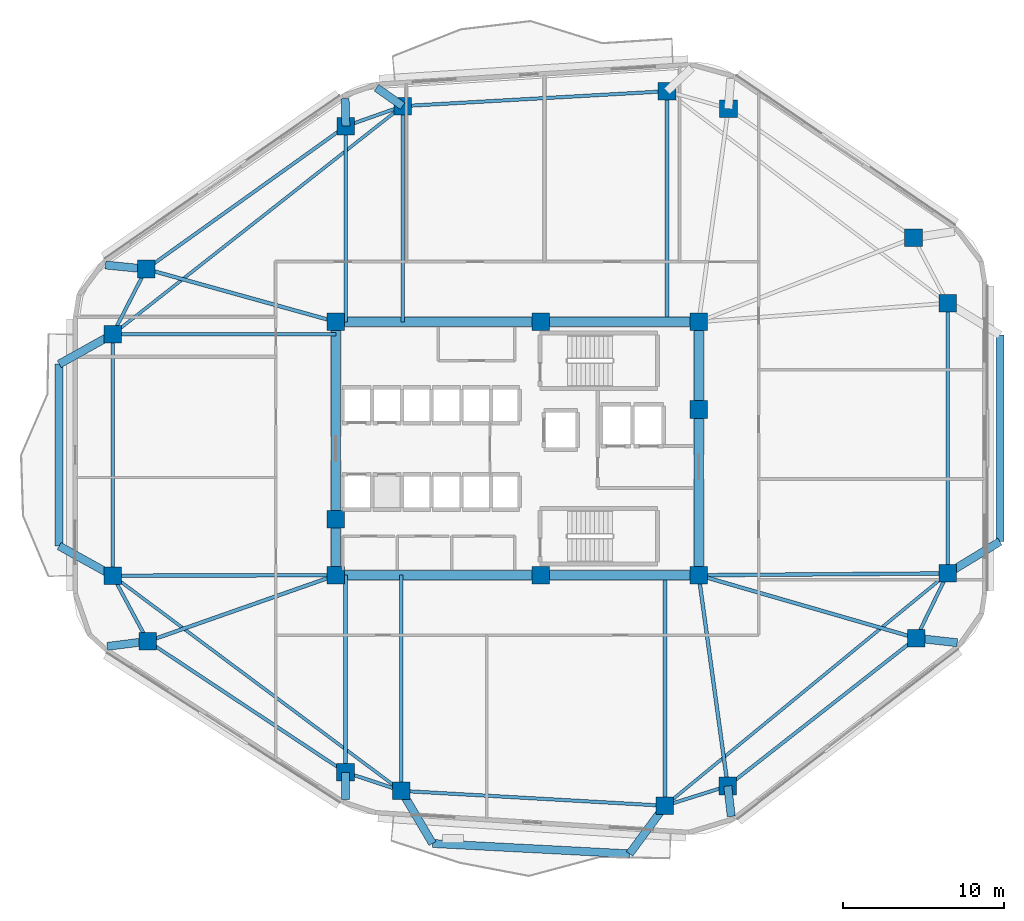
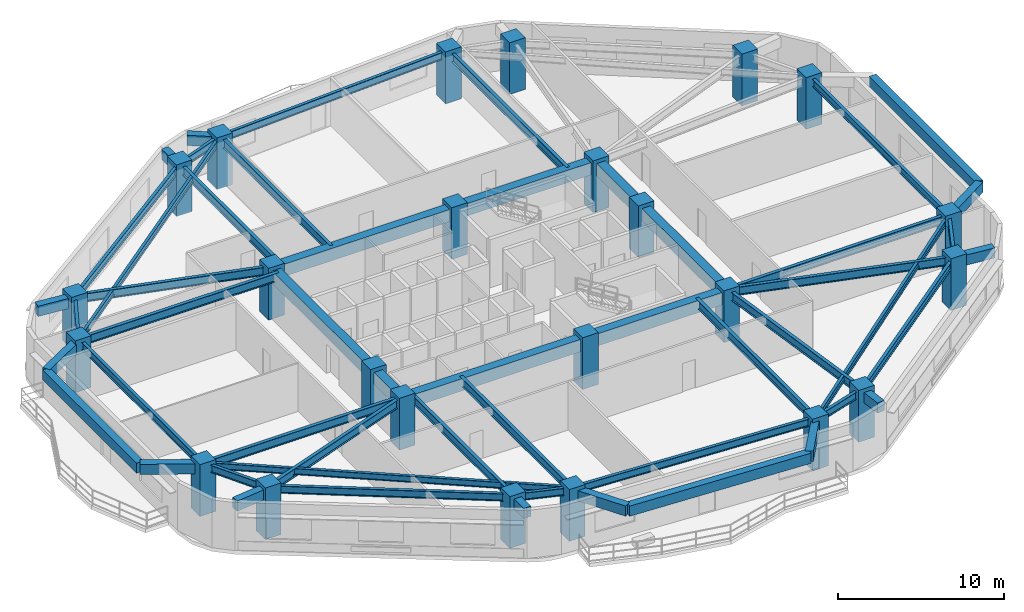
# One storey, part 1 of 10: 52 beams, 24 columns.
"""IFC4 building model written with IfcOpenShell, lengths in metres."""

from ifc_helpers import new_model, si_unit, direction, frame, origin, origin_2d, place, context, subcontext, project, spatial, rectangle, i_section, extrude, material, material_profile, profile_set, type_object, element, save


model = new_model("IFC4")

# Units and contexts
model_context = context("Model", 3, precision=1e-05, world=origin(), true_north=direction((0.0, 1.0)))
body_context = subcontext(model_context, "Body", "Model", "MODEL_VIEW")
ifc_project = project(units=[si_unit("LENGTHUNIT", "METRE"), si_unit("AREAUNIT", "SQUARE_METRE"), si_unit("VOLUMEUNIT", "CUBIC_METRE"), si_unit("PLANEANGLEUNIT", "RADIAN"), si_unit("MASSUNIT", "GRAM", prefix="KILO")], contexts=[model_context])

# Site, building, storey
site_placement = place(None, origin())
site = spatial("IfcSite", under=ifc_project, at=site_placement, CompositionType="ELEMENT")
building_placement = place(site_placement, origin())
building = spatial("IfcBuilding", under=site, at=building_placement, Name="Zulverin Broadcast Headquarters", CompositionType="ELEMENT")
storey_placement = place(building_placement, frame((0.0, 0.0, 97.199951171875)))
storey = spatial("IfcBuildingStorey", under=building, at=storey_placement, Name="L24", CompositionType="ELEMENT", Elevation=97.199951171875)

# Columns
ifc_material_1 = material(Name="Concrete C60/75", Category="concrete")
ifc_material_profile_1 = material_profile(ifc_material_1, rectangle(XDim=1.10009765625, YDim=1.10009765625, at=origin_2d()), Name="Concrete C60/75", Category="concrete")
ifc_profile_set_1 = profile_set([ifc_material_profile_1], Name="Concrete C60/75")
column_type_1 = type_object("IfcColumnType", Name="COL-RC-1100", PredefinedType="COLUMN", material=ifc_profile_set_1)
for number, where, z_axis, x_axis, name in (
    (1, (29.79638671875, 3.922119140625, 0.0), (0.0, 0.0, 1.0), (1.0, 0.0, 0.0), "L24 Perimeter Column T01"),
    (2, (46.175048828125, 2.997802734375, 0.0), (0.0, 0.0, 1.0), (1.0, 0.0, 0.0), "L24 Perimeter Column T02"),
    (3, (50.08056640625, 4.22509765625, 0.0), (0.0, 0.0, 1.0), (1.0, 0.0, 0.0), "L24 Perimeter Column T03"),
    (4, (61.79296875, 13.416259765625, 0.0), (0.0, 0.0, 1.0), (1.0, 0.0, 0.0), "L24 Perimeter Column T04"),
    (5, (63.75, 17.439697265625, 0.0), (0.0, 0.0, 1.0), (1.0, 0.0, 0.0), "L24 Perimeter Column T05"),
    (6, (63.75, 34.235107421875, 0.0), (0.0, 0.0, 1.0), (1.0, 0.0, 0.0), "L24 Perimeter Column T06"),
    (7, (61.630126953125, 38.298583984375, 0.0), (0.0, 0.0, 1.0), (1.0, 0.0, 0.0), "L24 Perimeter Column T07"),
    (8, (50.121826171875, 46.325927734375, 0.0), (0.0, 0.0, 1.0), (1.0, 0.0, 0.0), "L24 Perimeter Column T08"),
    (9, (46.30224609375, 47.4091796875, 0.0), (0.0, 0.0, 1.0), (1.0, 0.0, 0.0), "L24 Perimeter Column T09"),
    (10, (29.873779296875, 46.482177734375, 0.0), (0.0, 0.0, 1.0), (1.0, 0.0, 0.0), "L24 Perimeter Column T10"),
    (11, (26.344482421875, 45.23828125, 0.0), (0.0, 0.0, 1.0), (1.0, 0.0, 0.0), "L24 Perimeter Column T11"),
    (12, (13.934326171875, 36.353759765625, 0.0), (0.0, 0.0, 1.0), (1.0, 0.0, 0.0), "L24 Perimeter Column T12"),
    (13, (11.85009765625, 32.298095703125, 0.0), (0.0, 0.0, 1.0), (1.0, 0.0, 0.0), "L24 Perimeter Column T13"),
    (14, (11.85009765625, 17.297607421875, 0.0), (0.0, 0.0, 1.0), (1.0, 0.0, 0.0), "L24 Perimeter Column T14"),
    (15, (14.0390625, 13.219970703125, 0.0), (0.0, 0.0, 1.0), (1.0, 0.0, 0.0), "L24 Perimeter Column T15"),
    (16, (26.3251953125, 5.075927734375, 0.0), (0.0, 0.0, 1.0), (1.0, 0.0, 0.0), "L24 Perimeter Column T16"),
):
    element("IfcColumn", number, at=place(storey_placement, frame(where, z_axis=z_axis, x_axis=x_axis)), inside=storey, type_object=column_type_1, Name=name, PredefinedType="COLUMN", context=body_context, shape_type="SweptSolid", body=[
        extrude(rectangle(XDim=1.10009765625, YDim=1.10009765625, at=origin_2d()), origin(), (0.0, 0.0, 1.0), 3.800048828125),
    ])
ifc_material_profile_2 = material_profile(ifc_material_1, rectangle(XDim=1.10009765625, YDim=1.10009765625, at=origin_2d()), Name="Concrete C60/75", Category="concrete")
ifc_profile_set_2 = profile_set([ifc_material_profile_2], Name="Concrete C60/75")
column_type_2 = type_object("IfcColumnType", Name="PIL-RC-1100", PredefinedType="PILASTER", material=ifc_profile_set_2)
for number, where, z_axis, x_axis, name in (
    (17, (25.72509765625, 17.324951171875, 0.0), (0.0, 0.0, 1.0), (1.0, 0.0, 0.0), "L24 Core Pilaster K01"),
    (18, (38.449951171875, 17.324951171875, 0.0), (0.0, 0.0, 1.0), (1.0, 0.0, 0.0), "L24 Core Pilaster K02"),
    (19, (48.27490234375, 17.324951171875, 0.0), (0.0, 0.0, 1.0), (1.0, 0.0, 0.0), "L24 Core Pilaster K03"),
    (20, (48.27490234375, 27.6201171875, 0.0), (0.0, 0.0, 1.0), (1.0, 0.0, 0.0), "L24 Core Pilaster K04"),
    (21, (48.27490234375, 33.074951171875, 0.0), (0.0, 0.0, 1.0), (1.0, 0.0, 0.0), "L24 Core Pilaster K05"),
    (22, (38.449951171875, 33.074951171875, 0.0), (0.0, 0.0, 1.0), (1.0, 0.0, 0.0), "L24 Core Pilaster K06"),
    (23, (25.72509765625, 33.074951171875, 0.0), (0.0, 0.0, 1.0), (1.0, 0.0, 0.0), "L24 Core Pilaster K07"),
    (24, (25.72509765625, 20.800048828125, 0.0), (0.0, 0.0, 1.0), (1.0, 0.0, 0.0), "L24 Core Pilaster K08"),
):
    element("IfcColumn", number, at=place(storey_placement, frame(where, z_axis=z_axis, x_axis=x_axis)), inside=storey, type_object=column_type_2, Name=name, PredefinedType="PILASTER", context=body_context, shape_type="SweptSolid", body=[
        extrude(rectangle(XDim=1.10009765625, YDim=1.10009765625, at=origin_2d()), origin(), (0.0, 0.0, 1.0), 3.800048828125),
    ])

# Beams
ifc_material_profile_3 = material_profile(ifc_material_1, rectangle(XDim=0.60009765625, YDim=0.89990234375, at=origin_2d()), Name="Concrete C60/75", Category="concrete")
ifc_profile_set_3 = profile_set([ifc_material_profile_3], Name="Concrete C60/75")
beam_type_1 = type_object("IfcBeamType", Name="BM-CB-600x900", PredefinedType="LINTEL", material=ifc_profile_set_3)
beam_1_placement = place(storey_placement, frame((25.72509765625, 17.324951171875, 3.074951171875), z_axis=(1.0, 0.0, 0.0), x_axis=(0.0, 1.0, 0.0)))
element("IfcBeam", 25, at=beam_1_placement, inside=storey, type_object=beam_type_1, Name="L24 Core Coupling Girder K01-K02", PredefinedType="LINTEL", context=body_context, shape_type="SweptSolid", body=[
    extrude(rectangle(XDim=0.60009765625, YDim=0.89990234375, at=origin_2d()), origin(), (0.0, 0.0, 1.0), 12.724853515625),
])
beam_2_placement = place(storey_placement, frame((38.449951171875, 17.324951171875, 3.074951171875), z_axis=(1.0, 0.0, 0.0), x_axis=(0.0, 1.0, 0.0)))
element("IfcBeam", 26, at=beam_2_placement, inside=storey, type_object=beam_type_1, Name="L24 Core Coupling Girder K02-K03", PredefinedType="LINTEL", context=body_context, shape_type="SweptSolid", body=[
    extrude(rectangle(XDim=0.60009765625, YDim=0.89990234375, at=origin_2d()), origin(), (0.0, 0.0, 1.0), 9.824951171875),
])
beam_3_placement = place(storey_placement, frame((48.27490234375, 17.324951171875, 3.074951171875), z_axis=(0.0, 1.0, 0.0), x_axis=(-1.0, 0.0, 0.0)))
element("IfcBeam", 27, at=beam_3_placement, inside=storey, type_object=beam_type_1, Name="L24 Core Coupling Girder K03-K04", PredefinedType="LINTEL", context=body_context, shape_type="SweptSolid", body=[
    extrude(rectangle(XDim=0.60009765625, YDim=0.89990234375, at=origin_2d()), origin(), (0.0, 0.0, 1.0), 10.295166015625),
])
beam_4_placement = place(storey_placement, frame((48.27490234375, 27.6201171875, 3.074951171875), z_axis=(0.0, 1.0, 0.0), x_axis=(-1.0, 0.0, 0.0)))
element("IfcBeam", 28, at=beam_4_placement, inside=storey, type_object=beam_type_1, Name="L24 Core Coupling Girder K04-K05", PredefinedType="LINTEL", context=body_context, shape_type="SweptSolid", body=[
    extrude(rectangle(XDim=0.60009765625, YDim=0.89990234375, at=origin_2d()), origin(), (0.0, 0.0, 1.0), 5.454833984375),
])
beam_5_placement = place(storey_placement, frame((48.27490234375, 33.074951171875, 3.074951171875), z_axis=(-1.0, 0.0, 0.0), x_axis=(0.0, -1.0, 0.0)))
element("IfcBeam", 29, at=beam_5_placement, inside=storey, type_object=beam_type_1, Name="L24 Core Coupling Girder K05-K06", PredefinedType="LINTEL", context=body_context, shape_type="SweptSolid", body=[
    extrude(rectangle(XDim=0.60009765625, YDim=0.89990234375, at=origin_2d()), origin(), (0.0, 0.0, 1.0), 9.824951171875),
])
beam_6_placement = place(storey_placement, frame((38.449951171875, 33.074951171875, 3.074951171875), z_axis=(-1.0, 0.0, 0.0), x_axis=(0.0, -1.0, 0.0)))
element("IfcBeam", 30, at=beam_6_placement, inside=storey, type_object=beam_type_1, Name="L24 Core Coupling Girder K06-K07", PredefinedType="LINTEL", context=body_context, shape_type="SweptSolid", body=[
    extrude(rectangle(XDim=0.60009765625, YDim=0.89990234375, at=origin_2d()), origin(), (0.0, 0.0, 1.0), 12.724853515625),
])
beam_7_placement = place(storey_placement, frame((25.72509765625, 33.074951171875, 3.074951171875), z_axis=(0.0, -1.0, 0.0), x_axis=(1.0, 0.0, 0.0)))
element("IfcBeam", 31, at=beam_7_placement, inside=storey, type_object=beam_type_1, Name="L24 Core Coupling Girder K07-K08", PredefinedType="LINTEL", context=body_context, shape_type="SweptSolid", body=[
    extrude(rectangle(XDim=0.60009765625, YDim=0.89990234375, at=origin_2d()), origin(), (0.0, 0.0, 1.0), 12.27490234375),
])
beam_8_placement = place(storey_placement, frame((25.72509765625, 20.800048828125, 3.074951171875), z_axis=(0.0, -1.0, 0.0), x_axis=(1.0, 0.0, 0.0)))
element("IfcBeam", 32, at=beam_8_placement, inside=storey, type_object=beam_type_1, Name="L24 Core Coupling Girder K08-K01", PredefinedType="LINTEL", context=body_context, shape_type="SweptSolid", body=[
    extrude(rectangle(XDim=0.60009765625, YDim=0.89990234375, at=origin_2d()), origin(), (0.0, 0.0, 1.0), 3.47509765625),
])
ifc_material_2 = material(Name="Concrete C40/50", Category="concrete")
ifc_material_profile_4 = material_profile(ifc_material_2, rectangle(XDim=0.5, YDim=0.75, at=origin_2d()), Name="Concrete C40/50", Category="concrete")
ifc_profile_set_4 = profile_set([ifc_material_profile_4], Name="Concrete C40/50")
beam_type_2 = type_object("IfcBeamType", Name="BM-RC-500x750", PredefinedType="BEAM", material=ifc_profile_set_4)
beam_9_placement = place(storey_placement, frame((50.08056640625, 4.22509765625, 3.150146484375), z_axis=(0.115916621896, -0.99325894749, 0.0), x_axis=(0.99325894749, 0.115916621896, 0.0)))
element("IfcBeam", 33, at=beam_9_placement, inside=storey, type_object=beam_type_2, Name="L25 Plate Overhang Back-Spanned Beam OVR-03", PredefinedType="BEAM", context=body_context, shape_type="SweptSolid", body=[
    extrude(rectangle(XDim=0.5, YDim=0.75, at=origin_2d()), origin(), (0.0, 0.0, 1.0), 1.899658203125),
])
beam_10_placement = place(storey_placement, frame((61.79296875, 13.416259765625, 3.150146484375), z_axis=(0.993797661948, -0.111203449166, 0.0), x_axis=(0.111203449166, 0.993797661948, 0.0)))
element("IfcBeam", 34, at=beam_10_placement, inside=storey, type_object=beam_type_2, Name="L25 Plate Overhang Back-Spanned Beam OVR-04", PredefinedType="BEAM", context=body_context, shape_type="SweptSolid", body=[
    extrude(rectangle(XDim=0.5, YDim=0.75, at=origin_2d()), origin(), (0.0, 0.0, 1.0), 2.568603515625),
])
beam_11_placement = place(storey_placement, frame((29.873779296875, 46.482177734375, 3.150146484375), z_axis=(-0.817148773783, 0.576426822333, 0.0), x_axis=(-0.576426822333, -0.817148773783, 0.0)))
element("IfcBeam", 35, at=beam_11_placement, inside=storey, type_object=beam_type_2, Name="L25 Plate Overhang Back-Spanned Beam OVR-10", PredefinedType="BEAM", context=body_context, shape_type="SweptSolid", body=[
    extrude(rectangle(XDim=0.5, YDim=0.75, at=origin_2d()), origin(), (0.0, 0.0, 1.0), 1.981689453125),
])
beam_12_placement = place(storey_placement, frame((26.344482421875, 45.23828125, 3.150146484375), z_axis=(-0.025024345209, 0.999686842039, 0.0), x_axis=(-0.999686842039, -0.025024345209, 0.0)))
element("IfcBeam", 36, at=beam_12_placement, inside=storey, type_object=beam_type_2, Name="L25 Plate Overhang Back-Spanned Beam OVR-11", PredefinedType="BEAM", context=body_context, shape_type="SweptSolid", body=[
    extrude(rectangle(XDim=0.5, YDim=0.75, at=origin_2d()), origin(), (0.0, 0.0, 1.0), 1.707275390625),
])
beam_13_placement = place(storey_placement, frame((13.934326171875, 36.353759765625, 3.150146484375), z_axis=(-0.995008621602, 0.09978899207, 0.0), x_axis=(-0.09978899207, -0.995008621602, 0.0)))
element("IfcBeam", 37, at=beam_13_placement, inside=storey, type_object=beam_type_2, Name="L25 Plate Overhang Back-Spanned Beam OVR-12", PredefinedType="BEAM", context=body_context, shape_type="SweptSolid", body=[
    extrude(rectangle(XDim=0.5, YDim=0.75, at=origin_2d()), origin(), (0.0, 0.0, 1.0), 2.5419921875),
])
beam_14_placement = place(storey_placement, frame((14.0390625, 13.219970703125, 3.150146484375), z_axis=(-0.992258640565, -0.124188526941, 0.0), x_axis=(0.124188526941, -0.992258640565, 0.0)))
element("IfcBeam", 38, at=beam_14_placement, inside=storey, type_object=beam_type_2, Name="L25 Plate Overhang Back-Spanned Beam OVR-15", PredefinedType="BEAM", context=body_context, shape_type="SweptSolid", body=[
    extrude(rectangle(XDim=0.5, YDim=0.75, at=origin_2d()), origin(), (0.0, 0.0, 1.0), 2.5400390625),
])
beam_15_placement = place(storey_placement, frame((26.3251953125, 5.075927734375, 3.150146484375), z_axis=(0.006204786761, -0.999980750125, 0.0), x_axis=(0.999980750125, 0.006204786761, 0.0)))
element("IfcBeam", 39, at=beam_15_placement, inside=storey, type_object=beam_type_2, Name="L25 Plate Overhang Back-Spanned Beam OVR-16", PredefinedType="BEAM", context=body_context, shape_type="SweptSolid", body=[
    extrude(rectangle(XDim=0.5, YDim=0.75, at=origin_2d()), origin(), (0.0, 0.0, 1.0), 1.69189453125),
])
beam_16_placement = place(storey_placement, frame((63.75, 17.439697265625, 3.150146484375), z_axis=(0.853769010652, 0.520651972483, 0.0), x_axis=(-0.520651972483, 0.853769010652, 0.0)))
element("IfcBeam", 40, at=beam_16_placement, inside=storey, type_object=beam_type_2, Name="L25 Balcony Column-Framed Cantilever BAL_E-1", PredefinedType="BEAM", context=body_context, shape_type="SweptSolid", body=[
    extrude(rectangle(XDim=0.5, YDim=0.75, at=origin_2d()), origin(), (0.0, 0.0, 1.0), 3.800048828125),
])
beam_17_placement = place(storey_placement, frame((66.994384765625, 19.418212890625, 3.150146484375), z_axis=(0.000531985561, 0.999999858496, 0.0), x_axis=(-0.999999858496, 0.000531985561, 0.0)))
element("IfcBeam", 41, at=beam_17_placement, inside=storey, type_object=beam_type_2, Name="L25 Balcony Outer Edge Trimmer Beam BAL_E", PredefinedType="BEAM", context=body_context, shape_type="SweptSolid", body=[
    extrude(rectangle(XDim=0.5, YDim=0.75, at=origin_2d()), origin(), (0.0, 0.0, 1.0), 12.849853515625),
])
beam_18_placement = place(storey_placement, frame((29.79638671875, 3.922119140625, 3.150146484375), z_axis=(0.509317980618, -0.860578407014, 0.0), x_axis=(0.860578407014, 0.509317980618, 0.0)))
element("IfcBeam", 42, at=beam_18_placement, inside=storey, type_object=beam_type_2, Name="L25 Balcony Column-Framed Cantilever BAL_S-1", PredefinedType="BEAM", context=body_context, shape_type="SweptSolid", body=[
    extrude(rectangle(XDim=0.5, YDim=0.75, at=origin_2d()), origin(), (0.0, 0.0, 1.0), 3.7998046875),
])
beam_19_placement = place(storey_placement, frame((46.175048828125, 2.997802734375, 3.150146484375), z_axis=(-0.592473400613, -0.805590013323, 0.0), x_axis=(0.805590013323, -0.592473400613, 0.0)))
element("IfcBeam", 43, at=beam_19_placement, inside=storey, type_object=beam_type_2, Name="L25 Balcony Column-Framed Cantilever BAL_S-2", PredefinedType="BEAM", context=body_context, shape_type="SweptSolid", body=[
    extrude(rectangle(XDim=0.5, YDim=0.75, at=origin_2d()), origin(), (0.0, 0.0, 1.0), 3.708251953125),
])
beam_20_placement = place(storey_placement, frame((31.731689453125, 0.652099609375, 3.150146484375), z_axis=(0.998630394716, -0.052319544613, 0.0), x_axis=(0.052319544613, 0.998630394716, 0.0)))
element("IfcBeam", 44, at=beam_20_placement, inside=storey, type_object=beam_type_2, Name="L25 Balcony Outer Edge Trimmer Beam BAL_S", PredefinedType="BEAM", context=body_context, shape_type="SweptSolid", body=[
    extrude(rectangle(XDim=0.5, YDim=0.75, at=origin_2d()), origin(), (0.0, 0.0, 1.0), 12.26318359375),
])
beam_21_placement = place(storey_placement, frame((11.85009765625, 32.298095703125, 3.150146484375), z_axis=(-0.873763019306, -0.486351915893, 0.0), x_axis=(0.486351915893, -0.873763019306, 0.0)))
element("IfcBeam", 45, at=beam_21_placement, inside=storey, type_object=beam_type_2, Name="L25 Balcony Column-Framed Cantilever BAL_W-1", PredefinedType="BEAM", context=body_context, shape_type="SweptSolid", body=[
    extrude(rectangle(XDim=0.5, YDim=0.75, at=origin_2d()), origin(), (0.0, 0.0, 1.0), 3.800048828125),
])
beam_22_placement = place(storey_placement, frame((11.85009765625, 17.297607421875, 3.150146484375), z_axis=(-0.874363278793, 0.485271940975, 0.0), x_axis=(-0.485271940975, -0.874363278793, 0.0)))
element("IfcBeam", 46, at=beam_22_placement, inside=storey, type_object=beam_type_2, Name="L25 Balcony Column-Framed Cantilever BAL_W-2", PredefinedType="BEAM", context=body_context, shape_type="SweptSolid", body=[
    extrude(rectangle(XDim=0.5, YDim=0.75, at=origin_2d()), origin(), (0.0, 0.0, 1.0), 3.7998046875),
])
beam_23_placement = place(storey_placement, frame((8.52978515625, 30.449951171875, 3.150146484375), z_axis=(-0.000194304709, -0.999999981123, 0.0), x_axis=(0.999999981123, -0.000194304709, 0.0)))
element("IfcBeam", 47, at=beam_23_placement, inside=storey, type_object=beam_type_2, Name="L25 Balcony Outer Edge Trimmer Beam BAL_W", PredefinedType="BEAM", context=body_context, shape_type="SweptSolid", body=[
    extrude(rectangle(XDim=0.5, YDim=0.75, at=origin_2d()), origin(), (0.0, 0.0, 1.0), 11.308349609375),
])
ifc_material_3 = material(Name="Structural steel S355JR", Category="steel")
ifc_material_profile_5 = material_profile(ifc_material_3, i_section(OverallWidth=0.19287109375, OverallDepth=0.46728515625, WebThickness=0.011474609375, FlangeThickness=0.01953125, at=origin_2d()), Name="Structural steel S355JR", Category="steel")
ifc_profile_set_5 = profile_set([ifc_material_profile_5], Name="Structural steel S355JR")
beam_type_3 = type_object("IfcBeamType", Name="BM-UB-457", PredefinedType="JOIST", material=ifc_profile_set_5)
beam_24_placement = place(storey_placement, frame((46.175048828125, 2.997802734375, 3.29150390625), z_axis=(0.772611370623, 0.634879256224, 0.0), x_axis=(-0.634879256224, 0.772611370623, 0.0)))
element("IfcBeam", 48, at=beam_24_placement, inside=storey, type_object=beam_type_3, Name="L24 Chordal Floor Joist J-01", PredefinedType="JOIST", context=body_context, shape_type="SweptSolid", body=[
    extrude(i_section(OverallWidth=0.19287109375, OverallDepth=0.46728515625, WebThickness=0.011474609375, FlangeThickness=0.01953125, at=origin_2d()), origin(), (0.0, 0.0, 1.0), 22.74755859375),
])
beam_25_placement = place(storey_placement, frame((29.873779296875, 46.482177734375, 3.29150390625), z_axis=(-0.78583902739, -0.618431098047, 0.0), x_axis=(0.618431098047, -0.78583902739, 0.0)))
element("IfcBeam", 49, at=beam_25_placement, inside=storey, type_object=beam_type_3, Name="L24 Chordal Floor Joist J-03", PredefinedType="JOIST", context=body_context, shape_type="SweptSolid", body=[
    extrude(i_section(OverallWidth=0.19287109375, OverallDepth=0.46728515625, WebThickness=0.011474609375, FlangeThickness=0.01953125, at=origin_2d()), origin(), (0.0, 0.0, 1.0), 22.935546875),
])
beam_26_placement = place(storey_placement, frame((11.85009765625, 17.297607421875, 3.29150390625), z_axis=(0.801802688634, -0.59758886243, 0.0), x_axis=(0.59758886243, 0.801802688634, 0.0)))
element("IfcBeam", 50, at=beam_26_placement, inside=storey, type_object=beam_type_3, Name="L24 Chordal Floor Joist J-04", PredefinedType="JOIST", context=body_context, shape_type="SweptSolid", body=[
    extrude(i_section(OverallWidth=0.19287109375, OverallDepth=0.46728515625, WebThickness=0.011474609375, FlangeThickness=0.01953125, at=origin_2d()), origin(), (0.0, 0.0, 1.0), 22.38232421875),
])
ifc_material_profile_6 = material_profile(ifc_material_3, i_section(OverallWidth=0.2119140625, OverallDepth=0.54443359375, WebThickness=0.0126953125, FlangeThickness=0.021240234375, at=origin_2d()), Name="Structural steel S355JR", Category="steel")
ifc_profile_set_6 = profile_set([ifc_material_profile_6], Name="Structural steel S355JR")
beam_type_4 = type_object("IfcBeamType", Name="BM-UB-533", PredefinedType="SPANDREL", material=ifc_profile_set_6)
beam_27_placement = place(storey_placement, frame((29.79638671875, 3.922119140625, 3.252685546875), z_axis=(0.998411385104, -0.056344530297, 0.0), x_axis=(0.056344530297, 0.998411385104, 0.0)))
element("IfcBeam", 51, at=beam_27_placement, inside=storey, type_object=beam_type_4, Name="L24 Perimeter Spandrel Beam SP-01", PredefinedType="SPANDREL", context=body_context, shape_type="SweptSolid", body=[
    extrude(i_section(OverallWidth=0.2119140625, OverallDepth=0.54443359375, WebThickness=0.0126953125, FlangeThickness=0.021240234375, at=origin_2d()), origin(), (0.0, 0.0, 1.0), 16.40478515625),
])
beam_28_placement = place(storey_placement, frame((46.175048828125, 2.997802734375, 3.252685546875), z_axis=(0.954004438448, 0.299792480595, 0.0), x_axis=(-0.299792480595, 0.954004438448, 0.0)))
element("IfcBeam", 52, at=beam_28_placement, inside=storey, type_object=beam_type_4, Name="L24 Perimeter Spandrel Beam SP-02", PredefinedType="SPANDREL", context=body_context, shape_type="SweptSolid", body=[
    extrude(i_section(OverallWidth=0.2119140625, OverallDepth=0.54443359375, WebThickness=0.0126953125, FlangeThickness=0.021240234375, at=origin_2d()), origin(), (0.0, 0.0, 1.0), 4.09375),
])
beam_29_placement = place(storey_placement, frame((50.08056640625, 4.22509765625, 3.252685546875), z_axis=(0.786691476208, 0.617346354376, 0.0), x_axis=(-0.617346354376, 0.786691476208, 0.0)))
element("IfcBeam", 53, at=beam_29_placement, inside=storey, type_object=beam_type_4, Name="L24 Perimeter Spandrel Beam SP-03", PredefinedType="SPANDREL", context=body_context, shape_type="SweptSolid", body=[
    extrude(i_section(OverallWidth=0.2119140625, OverallDepth=0.54443359375, WebThickness=0.0126953125, FlangeThickness=0.021240234375, at=origin_2d()), origin(), (0.0, 0.0, 1.0), 14.88818359375),
])
beam_30_placement = place(storey_placement, frame((61.79296875, 13.416259765625, 3.252685546875), z_axis=(0.437408475872, 0.899262934428, 0.0), x_axis=(-0.899262934428, 0.437408475872, 0.0)))
element("IfcBeam", 54, at=beam_30_placement, inside=storey, type_object=beam_type_4, Name="L24 Perimeter Spandrel Beam SP-04", PredefinedType="SPANDREL", context=body_context, shape_type="SweptSolid", body=[
    extrude(i_section(OverallWidth=0.2119140625, OverallDepth=0.54443359375, WebThickness=0.0126953125, FlangeThickness=0.021240234375, at=origin_2d()), origin(), (0.0, 0.0, 1.0), 4.47412109375),
])
beam_31_placement = place(storey_placement, frame((63.75, 17.439697265625, 3.252685546875), z_axis=(0.0, 1.0, 0.0), x_axis=(-1.0, 0.0, 0.0)))
element("IfcBeam", 55, at=beam_31_placement, inside=storey, type_object=beam_type_4, Name="L24 Perimeter Spandrel Beam SP-05", PredefinedType="SPANDREL", context=body_context, shape_type="SweptSolid", body=[
    extrude(i_section(OverallWidth=0.2119140625, OverallDepth=0.54443359375, WebThickness=0.0126953125, FlangeThickness=0.021240234375, at=origin_2d()), origin(), (0.0, 0.0, 1.0), 16.79541015625),
])
beam_32_placement = place(storey_placement, frame((46.30224609375, 47.4091796875, 3.252685546875), z_axis=(-0.998411812904, -0.056336949274, 0.0), x_axis=(0.056336949274, -0.998411812904, 0.0)))
element("IfcBeam", 56, at=beam_32_placement, inside=storey, type_object=beam_type_4, Name="L24 Perimeter Spandrel Beam SP-09", PredefinedType="SPANDREL", context=body_context, shape_type="SweptSolid", body=[
    extrude(i_section(OverallWidth=0.2119140625, OverallDepth=0.54443359375, WebThickness=0.0126953125, FlangeThickness=0.021240234375, at=origin_2d()), origin(), (0.0, 0.0, 1.0), 16.45458984375),
])
beam_33_placement = place(storey_placement, frame((29.873779296875, 46.482177734375, 3.252685546875), z_axis=(-0.943135983398, -0.332407155189, 0.0), x_axis=(0.332407155189, -0.943135983398, 0.0)))
element("IfcBeam", 57, at=beam_33_placement, inside=storey, type_object=beam_type_4, Name="L24 Perimeter Spandrel Beam SP-10", PredefinedType="SPANDREL", context=body_context, shape_type="SweptSolid", body=[
    extrude(i_section(OverallWidth=0.2119140625, OverallDepth=0.54443359375, WebThickness=0.0126953125, FlangeThickness=0.021240234375, at=origin_2d()), origin(), (0.0, 0.0, 1.0), 3.7421875),
])
beam_34_placement = place(storey_placement, frame((26.344482421875, 45.23828125, 3.252685546875), z_axis=(-0.813109374453, -0.582110938891, 0.0), x_axis=(0.582110938891, -0.813109374453, 0.0)))
element("IfcBeam", 58, at=beam_34_placement, inside=storey, type_object=beam_type_4, Name="L24 Perimeter Spandrel Beam SP-11", PredefinedType="SPANDREL", context=body_context, shape_type="SweptSolid", body=[
    extrude(i_section(OverallWidth=0.2119140625, OverallDepth=0.54443359375, WebThickness=0.0126953125, FlangeThickness=0.021240234375, at=origin_2d()), origin(), (0.0, 0.0, 1.0), 15.2626953125),
])
beam_35_placement = place(storey_placement, frame((13.934326171875, 36.353759765625, 3.252685546875), z_axis=(-0.457080631948, -0.889425261558, 0.0), x_axis=(0.889425261558, -0.457080631948, 0.0)))
element("IfcBeam", 59, at=beam_35_placement, inside=storey, type_object=beam_type_4, Name="L24 Perimeter Spandrel Beam SP-12", PredefinedType="SPANDREL", context=body_context, shape_type="SweptSolid", body=[
    extrude(i_section(OverallWidth=0.2119140625, OverallDepth=0.54443359375, WebThickness=0.0126953125, FlangeThickness=0.021240234375, at=origin_2d()), origin(), (0.0, 0.0, 1.0), 4.559814453125),
])
beam_36_placement = place(storey_placement, frame((11.85009765625, 32.298095703125, 3.252685546875), z_axis=(0.0, -1.0, 0.0), x_axis=(1.0, 0.0, 0.0)))
element("IfcBeam", 60, at=beam_36_placement, inside=storey, type_object=beam_type_4, Name="L24 Perimeter Spandrel Beam SP-13", PredefinedType="SPANDREL", context=body_context, shape_type="SweptSolid", body=[
    extrude(i_section(OverallWidth=0.2119140625, OverallDepth=0.54443359375, WebThickness=0.0126953125, FlangeThickness=0.021240234375, at=origin_2d()), origin(), (0.0, 0.0, 1.0), 15.00048828125),
])
beam_37_placement = place(storey_placement, frame((11.85009765625, 17.297607421875, 3.252685546875), z_axis=(0.472979536362, -0.881073412482, 0.0), x_axis=(0.881073412482, 0.472979536362, 0.0)))
element("IfcBeam", 61, at=beam_37_placement, inside=storey, type_object=beam_type_4, Name="L24 Perimeter Spandrel Beam SP-14", PredefinedType="SPANDREL", context=body_context, shape_type="SweptSolid", body=[
    extrude(i_section(OverallWidth=0.2119140625, OverallDepth=0.54443359375, WebThickness=0.0126953125, FlangeThickness=0.021240234375, at=origin_2d()), origin(), (0.0, 0.0, 1.0), 4.6279296875),
])
beam_38_placement = place(storey_placement, frame((14.0390625, 13.219970703125, 3.252685546875), z_axis=(0.833510030956, -0.552504324232, 0.0), x_axis=(0.552504324232, 0.833510030956, 0.0)))
element("IfcBeam", 62, at=beam_38_placement, inside=storey, type_object=beam_type_4, Name="L24 Perimeter Spandrel Beam SP-15", PredefinedType="SPANDREL", context=body_context, shape_type="SweptSolid", body=[
    extrude(i_section(OverallWidth=0.2119140625, OverallDepth=0.54443359375, WebThickness=0.0126953125, FlangeThickness=0.021240234375, at=origin_2d()), origin(), (0.0, 0.0, 1.0), 14.740234375),
])
beam_39_placement = place(storey_placement, frame((26.3251953125, 5.075927734375, 3.252685546875), z_axis=(0.948949931395, -0.315426739047, 0.0), x_axis=(0.315426739047, 0.948949931395, 0.0)))
element("IfcBeam", 63, at=beam_39_placement, inside=storey, type_object=beam_type_4, Name="L24 Perimeter Spandrel Beam SP-16", PredefinedType="SPANDREL", context=body_context, shape_type="SweptSolid", body=[
    extrude(i_section(OverallWidth=0.2119140625, OverallDepth=0.54443359375, WebThickness=0.0126953125, FlangeThickness=0.021240234375, at=origin_2d()), origin(), (0.0, 0.0, 1.0), 3.657958984375),
])
ifc_material_profile_7 = material_profile(ifc_material_3, i_section(OverallWidth=0.230224609375, OverallDepth=0.6171875, WebThickness=0.01318359375, FlangeThickness=0.022216796875, at=origin_2d()), Name="Structural steel S355JR", Category="steel")
ifc_profile_set_7 = profile_set([ifc_material_profile_7], Name="Structural steel S355JR")
beam_type_5 = type_object("IfcBeamType", Name="BM-UB-610", PredefinedType="BEAM", material=ifc_profile_set_7)
beam_40_placement = place(storey_placement, frame((29.79638671875, 17.324951171875, 3.216552734375), z_axis=(0.0, -1.0, 0.0), x_axis=(1.0, 0.0, 0.0)))
element("IfcBeam", 64, at=beam_40_placement, inside=storey, type_object=beam_type_5, Name="L24 Radial Primary Floor Beam RB-01", PredefinedType="BEAM", context=body_context, shape_type="SweptSolid", body=[
    extrude(i_section(OverallWidth=0.230224609375, OverallDepth=0.6171875, WebThickness=0.01318359375, FlangeThickness=0.022216796875, at=origin_2d()), origin(), (0.0, 0.0, 1.0), 13.40283203125),
])
beam_41_placement = place(storey_placement, frame((46.175048828125, 17.324951171875, 3.216552734375), z_axis=(0.0, -1.0, 0.0), x_axis=(1.0, 0.0, 0.0)))
element("IfcBeam", 65, at=beam_41_placement, inside=storey, type_object=beam_type_5, Name="L24 Radial Primary Floor Beam RB-02", PredefinedType="BEAM", context=body_context, shape_type="SweptSolid", body=[
    extrude(i_section(OverallWidth=0.230224609375, OverallDepth=0.6171875, WebThickness=0.01318359375, FlangeThickness=0.022216796875, at=origin_2d()), origin(), (0.0, 0.0, 1.0), 14.3271484375),
])
beam_42_placement = place(storey_placement, frame((48.27490234375, 17.324951171875, 3.216552734375), z_axis=(0.136547433081, -0.990633533916, 0.0), x_axis=(0.990633533916, 0.136547433081, 0.0)))
element("IfcBeam", 66, at=beam_42_placement, inside=storey, type_object=beam_type_5, Name="L24 Radial Primary Floor Beam RB-03", PredefinedType="BEAM", context=body_context, shape_type="SweptSolid", body=[
    extrude(i_section(OverallWidth=0.230224609375, OverallDepth=0.6171875, WebThickness=0.01318359375, FlangeThickness=0.022216796875, at=origin_2d()), origin(), (0.0, 0.0, 1.0), 13.2236328125),
])
beam_43_placement = place(storey_placement, frame((48.27490234375, 17.324951171875, 3.216552734375), z_axis=(0.960648363311, -0.277767388416, 0.0), x_axis=(0.277767388416, 0.960648363311, 0.0)))
element("IfcBeam", 67, at=beam_43_placement, inside=storey, type_object=beam_type_5, Name="L24 Radial Primary Floor Beam RB-04", PredefinedType="BEAM", context=body_context, shape_type="SweptSolid", body=[
    extrude(i_section(OverallWidth=0.230224609375, OverallDepth=0.6171875, WebThickness=0.01318359375, FlangeThickness=0.022216796875, at=origin_2d()), origin(), (0.0, 0.0, 1.0), 14.07177734375),
])
beam_44_placement = place(storey_placement, frame((48.27490234375, 17.324951171875, 3.216552734375), z_axis=(0.999972510862, 0.007414682739, 0.0), x_axis=(-0.007414682739, 0.999972510862, 0.0)))
element("IfcBeam", 68, at=beam_44_placement, inside=storey, type_object=beam_type_5, Name="L24 Radial Primary Floor Beam RB-05", PredefinedType="BEAM", context=body_context, shape_type="SweptSolid", body=[
    extrude(i_section(OverallWidth=0.230224609375, OverallDepth=0.6171875, WebThickness=0.01318359375, FlangeThickness=0.022216796875, at=origin_2d()), origin(), (0.0, 0.0, 1.0), 15.4755859375),
])
beam_45_placement = place(storey_placement, frame((46.30224609375, 33.074951171875, 3.216552734375), z_axis=(0.0, 1.0, 0.0), x_axis=(-1.0, 0.0, 0.0)))
element("IfcBeam", 69, at=beam_45_placement, inside=storey, type_object=beam_type_5, Name="L24 Radial Primary Floor Beam RB-09", PredefinedType="BEAM", context=body_context, shape_type="SweptSolid", body=[
    extrude(i_section(OverallWidth=0.230224609375, OverallDepth=0.6171875, WebThickness=0.01318359375, FlangeThickness=0.022216796875, at=origin_2d()), origin(), (0.0, 0.0, 1.0), 14.334228515625),
])
beam_46_placement = place(storey_placement, frame((29.873779296875, 33.074951171875, 3.216552734375), z_axis=(0.0, 1.0, 0.0), x_axis=(-1.0, 0.0, 0.0)))
element("IfcBeam", 70, at=beam_46_placement, inside=storey, type_object=beam_type_5, Name="L24 Radial Primary Floor Beam RB-10", PredefinedType="BEAM", context=body_context, shape_type="SweptSolid", body=[
    extrude(i_section(OverallWidth=0.230224609375, OverallDepth=0.6171875, WebThickness=0.01318359375, FlangeThickness=0.022216796875, at=origin_2d()), origin(), (0.0, 0.0, 1.0), 13.4072265625),
])
beam_47_placement = place(storey_placement, frame((26.344482421875, 33.074951171875, 3.216552734375), z_axis=(0.0, 1.0, 0.0), x_axis=(-1.0, 0.0, 0.0)))
element("IfcBeam", 71, at=beam_47_placement, inside=storey, type_object=beam_type_5, Name="L24 Radial Primary Floor Beam RB-11", PredefinedType="BEAM", context=body_context, shape_type="SweptSolid", body=[
    extrude(i_section(OverallWidth=0.230224609375, OverallDepth=0.6171875, WebThickness=0.01318359375, FlangeThickness=0.022216796875, at=origin_2d()), origin(), (0.0, 0.0, 1.0), 12.163330078125),
])
beam_48_placement = place(storey_placement, frame((25.72509765625, 33.074951171875, 3.216552734375), z_axis=(-0.963442133037, 0.267916509922, 0.0), x_axis=(-0.267916509922, -0.963442133037, 0.0)))
element("IfcBeam", 72, at=beam_48_placement, inside=storey, type_object=beam_type_5, Name="L24 Radial Primary Floor Beam RB-12", PredefinedType="BEAM", context=body_context, shape_type="SweptSolid", body=[
    extrude(i_section(OverallWidth=0.230224609375, OverallDepth=0.6171875, WebThickness=0.01318359375, FlangeThickness=0.022216796875, at=origin_2d()), origin(), (0.0, 0.0, 1.0), 12.23828125),
])
for number, where, z_axis, x_axis, name in (
    (73, (25.72509765625, 32.298095703125, 3.216552734375), (-1.0, 0.0, 0.0), (0.0, -1.0, 0.0), "L24 Radial Primary Floor Beam RB-13"),
    (74, (25.72509765625, 17.324951171875, 3.216552734375), (-0.999998058136, -0.001970716894, 0.0), (0.001970716894, -0.999998058136, 0.0), "L24 Radial Primary Floor Beam RB-14"),
):
    element("IfcBeam", number, at=place(storey_placement, frame(where, z_axis=z_axis, x_axis=x_axis)), inside=storey, type_object=beam_type_5, Name=name, PredefinedType="BEAM", context=body_context, shape_type="SweptSolid", body=[
        extrude(i_section(OverallWidth=0.230224609375, OverallDepth=0.6171875, WebThickness=0.01318359375, FlangeThickness=0.022216796875, at=origin_2d()), origin(), (0.0, 0.0, 1.0), 13.875),
    ])
beam_49_placement = place(storey_placement, frame((25.72509765625, 17.324951171875, 3.216552734375), z_axis=(-0.943483462345, -0.331419607569, 0.0), x_axis=(0.331419607569, -0.943483462345, 0.0)))
element("IfcBeam", 75, at=beam_49_placement, inside=storey, type_object=beam_type_5, Name="L24 Radial Primary Floor Beam RB-15", PredefinedType="BEAM", context=body_context, shape_type="SweptSolid", body=[
    extrude(i_section(OverallWidth=0.230224609375, OverallDepth=0.6171875, WebThickness=0.01318359375, FlangeThickness=0.022216796875, at=origin_2d()), origin(), (0.0, 0.0, 1.0), 12.385986328125),
])
beam_50_placement = place(storey_placement, frame((26.3251953125, 17.324951171875, 3.216552734375), z_axis=(0.0, -1.0, 0.0), x_axis=(1.0, 0.0, 0.0)))
element("IfcBeam", 76, at=beam_50_placement, inside=storey, type_object=beam_type_5, Name="L24 Radial Primary Floor Beam RB-16", PredefinedType="BEAM", context=body_context, shape_type="SweptSolid", body=[
    extrude(i_section(OverallWidth=0.230224609375, OverallDepth=0.6171875, WebThickness=0.01318359375, FlangeThickness=0.022216796875, at=origin_2d()), origin(), (0.0, 0.0, 1.0), 12.2490234375),
])

save(model, "model.ifc")
